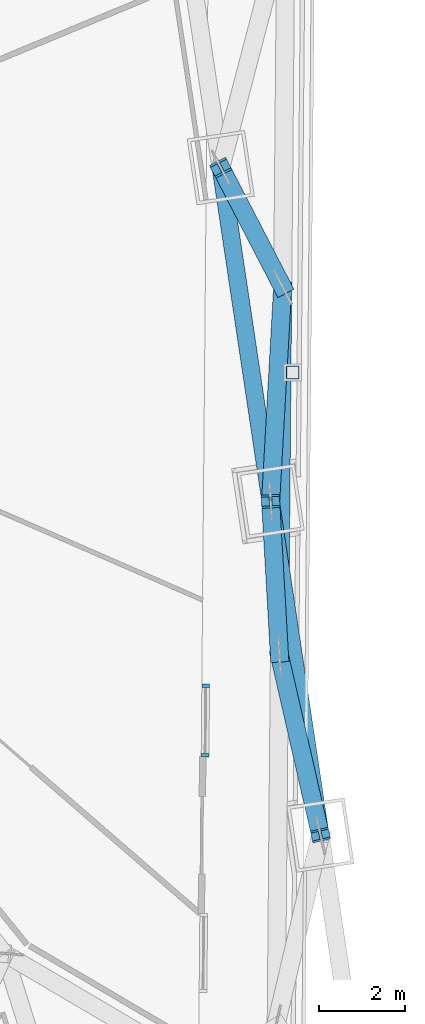
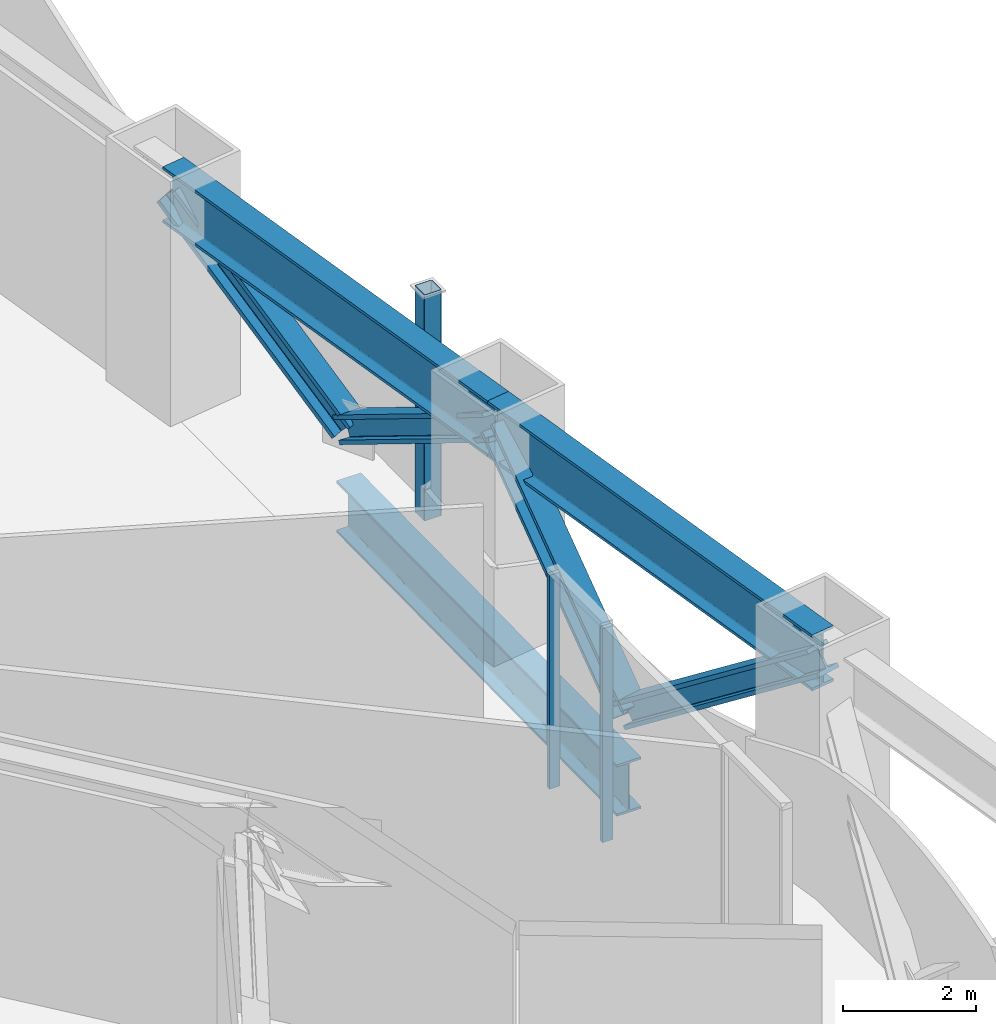
# One storey, part 4 of 27: 10 members, 1 element without a shape of its own.
"""IFC4 building model written with IfcOpenShell, lengths in metres."""

from ifc_helpers import new_model, si_unit, direction, frame, origin, origin_2d, place, context, subcontext, project, spatial, rectangle, hollow_rectangle, i_section, extrude, material, layer, layer_set, material_profile, profile_set, type_object, element, aggregate, save


model = new_model("IFC4")

# Units and contexts
model_context = context("Model", 3, precision=1e-05, world=origin(), true_north=direction((0.0, 1.0)))
body_context = subcontext(model_context, "Body", "Model", "MODEL_VIEW")
ifc_project = project(units=[si_unit("LENGTHUNIT", "METRE"), si_unit("AREAUNIT", "SQUARE_METRE"), si_unit("VOLUMEUNIT", "CUBIC_METRE"), si_unit("PLANEANGLEUNIT", "RADIAN"), si_unit("MASSUNIT", "GRAM", prefix="KILO")], contexts=[model_context])

# Site, building, storey
site_placement = place(None, origin())
site = spatial("IfcSite", under=ifc_project, at=site_placement, CompositionType="ELEMENT")
building_placement = place(site_placement, origin())
building = spatial("IfcBuilding", under=site, at=building_placement, Name="Trine Commons Tower", CompositionType="ELEMENT")
storey_placement = place(building_placement, frame((0.0, 0.0, 193.5)))
storey = spatial("IfcBuildingStorey", under=building, at=storey_placement, Name="L50", CompositionType="ELEMENT", Elevation=193.5)

# Curtain wall, members
ifc_material_1 = material(Name="Sky lounge glazing: anodised aluminium frame with low-emissivity double glazed unit, solar control", Category="aluminium")
ifc_layer = layer(ifc_material_1, 0.179931640625)
ifc_layer_set = layer_set([ifc_layer], Name="Sky lounge glazing: anodised aluminium frame with low-emissivity double glazed unit, solar control")
curtain_wall_type = type_object("IfcCurtainWallType", Name="Sky lounge glazing curtain wall CW5", PredefinedType="NOTDEFINED", material=ifc_layer_set)
curtain_wall_placement = place(storey_placement, origin())
curtain_wall = element("IfcCurtainWall", 1, at=curtain_wall_placement, inside=storey, type_object=curtain_wall_type, Name="Sky lounge glazing L50 F2.2", PredefinedType="NOTDEFINED")
ifc_material_2 = material(Name="Anodised aluminium, bronze finish", Category="aluminium")
ifc_material_profile_1 = material_profile(ifc_material_2, rectangle(XDim=0.179931640625, YDim=0.074951171875, at=origin_2d()), Name="Mullion 75x180")
ifc_profile_set_1 = profile_set([ifc_material_profile_1], Name="Anodised aluminium, bronze finish")
member_type_1 = type_object("IfcMemberType", Name="Mullion 75x180, Anodised aluminium, bronze finish", PredefinedType="MULLION", material=ifc_profile_set_1)
member_1_placement = place(storey_placement, frame((97.145751953125, 53.059814453125, 0.110107421875), z_axis=(0.0, 0.0, 1.0), x_axis=(0.999961923064, -0.008726535498, 0.0)))
member_1 = element("IfcMember", 2, at=member_1_placement, type_object=member_type_1, Name="CW5 mullion 1.1", PredefinedType="MULLION", context=body_context, shape_type="SweptSolid", body=[
    extrude(rectangle(XDim=0.179931640625, YDim=0.074951171875, at=origin_2d()), origin(), (0.0, 0.0, 1.0), 3.929931640625),
])
member_2_placement = place(storey_placement, frame((97.131591796875, 51.44580078125, 0.110107421875), z_axis=(0.0, 0.0, 1.0), x_axis=(0.999961923064, -0.008726535498, 0.0)))
member_2 = element("IfcMember", 3, at=member_2_placement, type_object=member_type_1, Name="CW5 mullion 2.1", PredefinedType="MULLION", context=body_context, shape_type="SweptSolid", body=[
    extrude(rectangle(XDim=0.179931640625, YDim=0.074951171875, at=origin_2d()), origin(), (0.0, 0.0, 1.0), 3.929931640625),
])
aggregate(curtain_wall, [member_1, member_2])

# Members
ifc_material_3 = material(Name="Structural steel ASTM A992 Gr50", Category="steel")
ifc_material_profile_2 = material_profile(ifc_material_3, i_section(OverallWidth=0.42236328125, OverallDepth=0.46337890625, WebThickness=0.044921875, FlangeThickness=0.072509765625, FilletRadius=0.014892578125, at=origin_2d()), Name="W14X398")
ifc_profile_set_2 = profile_set([ifc_material_profile_2], Name="Structural steel ASTM A992 Gr50")
member_type_2 = type_object("IfcMemberType", Name="Steel brace W14X398, ASTM A992 Gr50", PredefinedType="BRACE", material=ifc_profile_set_2)
member_3_placement = place(storey_placement, frame((98.936767578125, 62.334716796875, 0.474609375), z_axis=(-0.323805626252, 0.624838953758, 0.710440847836), x_axis=(-0.887861897278, -0.460110042666, 0.0)))
element("IfcMember", 4, at=member_3_placement, inside=storey, type_object=member_type_2, Name="Transfer truss brace T5-DG-35", PredefinedType="BRACE", context=body_context, shape_type="SweptSolid", body=[
    extrude(i_section(OverallWidth=0.42236328125, OverallDepth=0.46337890625, WebThickness=0.044921875, FlangeThickness=0.072509765625, FilletRadius=0.014892578125, at=origin_2d()), origin(), (0.0, 0.0, 1.0), 4.44921875),
])
member_4_placement = place(storey_placement, frame((98.862060546875, 53.764404296875, 0.474609375), z_axis=(-0.042964154264, 0.749474462974, 0.660637654693), x_axis=(-0.998360920296, -0.057231746656, 0.0)))
element("IfcMember", 5, at=member_4_placement, inside=storey, type_object=member_type_2, Name="Transfer truss brace T5-DG-37", PredefinedType="BRACE", context=body_context, shape_type="SweptSolid", body=[
    extrude(i_section(OverallWidth=0.42236328125, OverallDepth=0.46337890625, WebThickness=0.044921875, FlangeThickness=0.072509765625, FilletRadius=0.014892578125, at=origin_2d()), origin(), (0.0, 0.0, 1.0), 4.78466796875),
])
member_5_placement = place(storey_placement, frame((98.936767578125, 62.334716796875, 0.474609375), z_axis=(-0.047433328463, -0.843552991206, 0.534947128583), x_axis=(0.99842280979, -0.056141721475, 0.0)))
element("IfcMember", 6, at=member_5_placement, inside=storey, type_object=member_type_2, Name="Transfer truss brace T5-DG-38", PredefinedType="BRACE", context=body_context, shape_type="SweptSolid", body=[
    extrude(i_section(OverallWidth=0.42236328125, OverallDepth=0.46337890625, WebThickness=0.044921875, FlangeThickness=0.072509765625, FilletRadius=0.014892578125, at=origin_2d()), origin(), (0.0, 0.0, 1.0), 5.90869140625),
])
member_6_placement = place(storey_placement, frame((98.862060546875, 53.764404296875, 0.474609375), z_axis=(0.179296230191, -0.784575730886, 0.593543414034), x_axis=(0.9748680511, 0.222783040075, 0.0)))
element("IfcMember", 7, at=member_6_placement, inside=storey, type_object=member_type_2, Name="Transfer truss brace T5-DG-39", PredefinedType="BRACE", context=body_context, shape_type="SweptSolid", body=[
    extrude(i_section(OverallWidth=0.42236328125, OverallDepth=0.46337890625, WebThickness=0.044921875, FlangeThickness=0.072509765625, FilletRadius=0.014892578125, at=origin_2d()), origin(), (0.0, 0.0, 1.0), 5.325439453125),
])
ifc_material_profile_3 = material_profile(ifc_material_3, i_section(OverallWidth=0.42236328125, OverallDepth=0.94921875, WebThickness=0.02392578125, FlangeThickness=0.042724609375, FilletRadius=0.024169921875, at=origin_2d()), Name="W36X302")
ifc_profile_set_3 = profile_set([ifc_material_profile_3], Name="Structural steel ASTM A992 Gr50")
member_type_3 = type_object("IfcMemberType", Name="Steel chord W36X302, ASTM A992 Gr50", PredefinedType="CHORD", material=ifc_profile_set_3)
member_7_placement = place(storey_placement, frame((98.936767578125, 62.334716796875, -0.924560546875), z_axis=(-0.008716624171, -0.99996200951, 0.0), x_axis=(0.99996200951, -0.008716624171, 0.0)))
element("IfcMember", 8, at=member_7_placement, inside=storey, type_object=member_type_3, Name="Transfer truss chord T5-LC-16", PredefinedType="CHORD", context=body_context, shape_type="SweptSolid", body=[
    extrude(i_section(OverallWidth=0.42236328125, OverallDepth=0.94921875, WebThickness=0.02392578125, FlangeThickness=0.042724609375, FilletRadius=0.024169921875, at=origin_2d()), origin(), (0.0, 0.0, 1.0), 8.570556640625),
])
ifc_material_profile_4 = material_profile(ifc_material_3, i_section(OverallWidth=0.406494140625, OverallDepth=1.02880859375, WebThickness=0.0283203125, FlangeThickness=0.051025390625, FilletRadius=0.02978515625, at=origin_2d()), Name="W40X362")
ifc_profile_set_4 = profile_set([ifc_material_profile_4], Name="Structural steel ASTM A992 Gr50")
member_type_4 = type_object("IfcMemberType", Name="Steel chord W40X362, ASTM A992 Gr50", PredefinedType="CHORD", material=ifc_profile_set_4)
member_8_placement = place(storey_placement, frame((97.49609375, 65.11474609375, 3.635498046875), z_axis=(0.147809709358, -0.989015818791, 0.0), x_axis=(0.989015818791, 0.147809709358, 0.0)))
element("IfcMember", 9, at=member_8_placement, inside=storey, type_object=member_type_4, Name="Transfer truss chord T5-UC-16", PredefinedType="CHORD", context=body_context, shape_type="SweptSolid", body=[
    extrude(i_section(OverallWidth=0.406494140625, OverallDepth=1.02880859375, WebThickness=0.0283203125, FlangeThickness=0.051025390625, FilletRadius=0.02978515625, at=origin_2d()), origin(), (0.0, 0.0, 1.0), 7.8505859375),
])
member_9_placement = place(storey_placement, frame((98.656494140625, 57.350341796875, 3.635498046875), z_axis=(0.147814255621, -0.989015139336, 0.0), x_axis=(0.989015139336, 0.147814255621, 0.0)))
element("IfcMember", 10, at=member_9_placement, inside=storey, type_object=member_type_4, Name="Transfer truss chord T5-UC-17", PredefinedType="CHORD", context=body_context, shape_type="SweptSolid", body=[
    extrude(i_section(OverallWidth=0.406494140625, OverallDepth=1.02880859375, WebThickness=0.0283203125, FlangeThickness=0.051025390625, FilletRadius=0.02978515625, at=origin_2d()), origin(), (0.0, 0.0, 1.0), 7.850341796875),
])
ifc_material_4 = material(Name="Structural steel ASTM A500 Gr C", Category="steel")
ifc_material_profile_5 = material_profile(ifc_material_4, hollow_rectangle(XDim=0.3046875, YDim=0.3046875, WallThickness=0.014892578125, InnerFilletRadius=0.00732421875, OuterFilletRadius=0.022216796875, at=origin_2d()), Name="HSS12X12X5/8")
ifc_profile_set_5 = profile_set([ifc_material_profile_5], Name="Structural steel ASTM A500 Gr C")
member_type_5 = type_object("IfcMemberType", Name="Steel post HSS12X12X5/8, ASTM A500 Gr C", PredefinedType="POST", material=ifc_profile_set_5)
member_10_placement = place(storey_placement, frame((99.16943359375, 60.345703125, 0.0), z_axis=(0.0, 0.0, 1.0), x_axis=(1.0, 0.0, 0.0)))
element("IfcMember", 11, at=member_10_placement, inside=storey, type_object=member_type_5, Name="Roof post SP5-61", PredefinedType="POST", context=body_context, shape_type="SweptSolid", body=[
    extrude(hollow_rectangle(XDim=0.3046875, YDim=0.3046875, WallThickness=0.014892578125, InnerFilletRadius=0.00732421875, OuterFilletRadius=0.022216796875, at=origin_2d()), origin(), (0.0, 0.0, 1.0), 4.14990234375),
])

save(model, "model.ifc")
